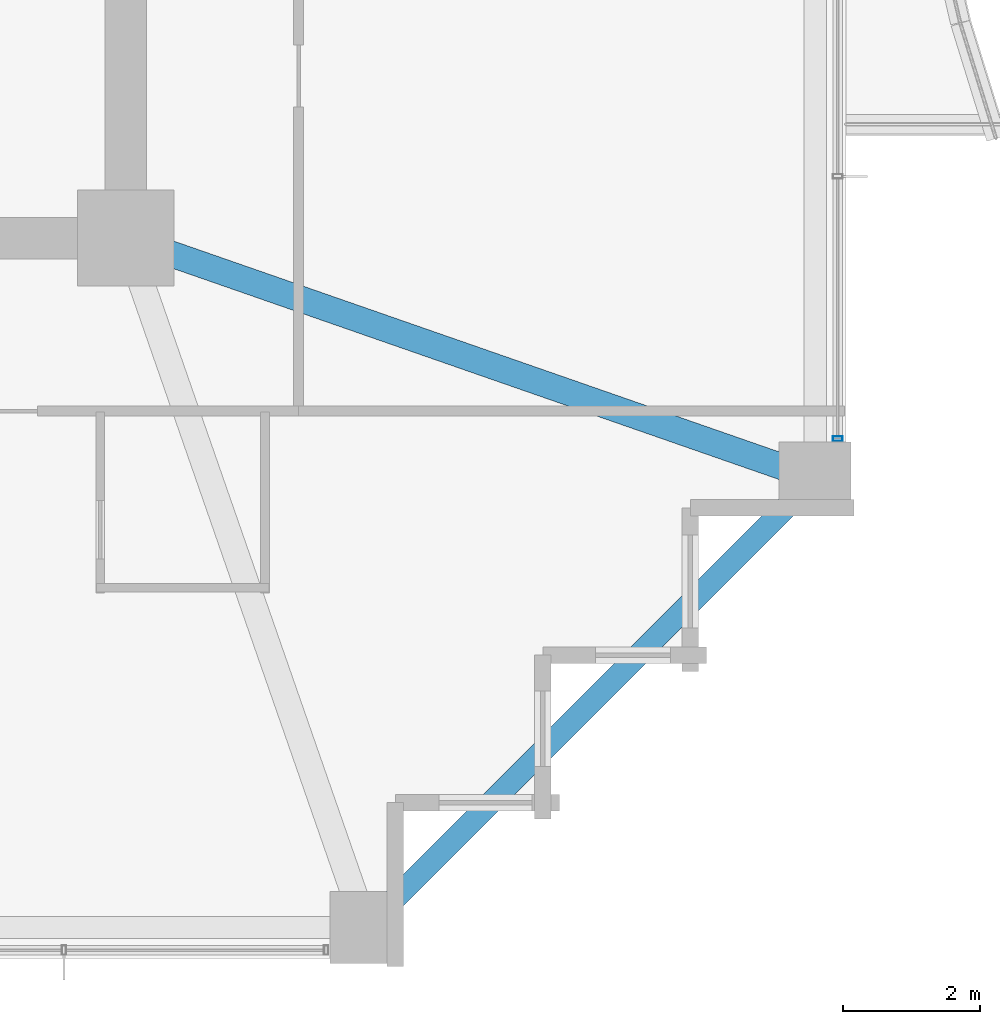
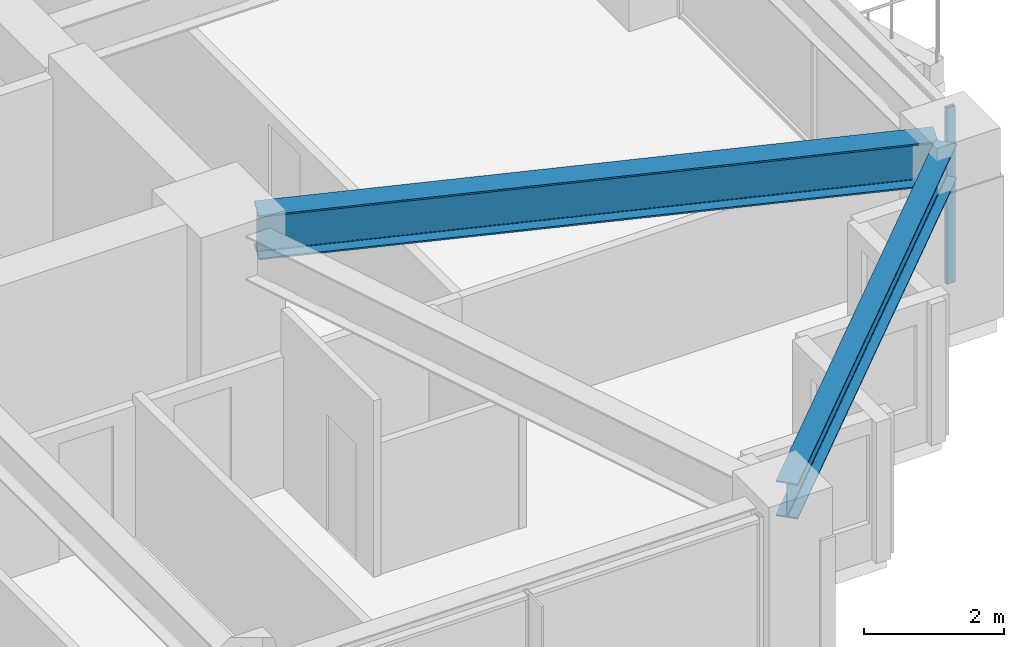
# One storey, part 13 of 36: 2 beams, 1 member, 1 element without a shape of its own.
"""IFC4 building model written with IfcOpenShell, lengths in metres."""

from ifc_helpers import new_model, si_unit, direction, frame, origin, origin_2d, place, context, subcontext, project, spatial, hollow_rectangle, i_section, extrude, material, material_profile, profile_set, type_object, element, aggregate, save


model = new_model("IFC4")

# Units and contexts
model_context = context("Model", 3, precision=1e-05, world=origin(), true_north=direction((0.0, 1.0)))
body_context = subcontext(model_context, "Body", "Model", "MODEL_VIEW")
ifc_project = project(units=[si_unit("LENGTHUNIT", "METRE"), si_unit("AREAUNIT", "SQUARE_METRE"), si_unit("VOLUMEUNIT", "CUBIC_METRE"), si_unit("PLANEANGLEUNIT", "RADIAN"), si_unit("MASSUNIT", "GRAM", prefix="KILO")], contexts=[model_context])

# Site, building, storey
site_placement = place(None, origin())
site = spatial("IfcSite", under=ifc_project, at=site_placement, CompositionType="ELEMENT")
building_placement = place(site_placement, origin())
building = spatial("IfcBuilding", under=site, at=building_placement, Name="Kolvaren Belvedere", CompositionType="ELEMENT")
storey_placement = place(building_placement, frame((0.0, 0.0, 95.300048828125)))
storey = spatial("IfcBuildingStorey", under=building, at=storey_placement, Name="L27", CompositionType="ELEMENT", Elevation=95.300048828125)

# Beams
ifc_material_1 = material(Name="Structural steel ASTM A992 Grade 50", Category="steel")
ifc_material_profile_1 = material_profile(ifc_material_1, i_section(OverallWidth=0.381103515625, OverallDepth=0.77294921875, WebThickness=0.0166015625, FlangeThickness=0.027099609375, FilletRadius=0.02392578125, at=origin_2d()), Name="W30X173")
ifc_profile_set_1 = profile_set([ifc_material_profile_1], Name="Structural steel ASTM A992 Grade 50")
beam_type_1 = type_object("IfcBeamType", Name="BM-GIRD-W30X173", PredefinedType="BEAM", material=ifc_profile_set_1)
beam_1_placement = place(storey_placement, frame((10.41943359375, -10.080810546875, 2.693359375), z_axis=(0.944371408538, -0.328880894453, 0.0), x_axis=(0.328880894453, 0.944371408538, 0.0)))
element("IfcBeam", 1, at=beam_1_placement, inside=storey, type_object=beam_type_1, Name="L27 Corner Core-to-Perimeter Girder CC2-E1", PredefinedType="BEAM", context=body_context, shape_type="SweptSolid", body=[
    extrude(i_section(OverallWidth=0.381103515625, OverallDepth=0.77294921875, WebThickness=0.0166015625, FlangeThickness=0.027099609375, FilletRadius=0.02392578125, at=origin_2d()), origin(), (0.0, 0.0, 1.0), 9.882080078125),
])
ifc_material_2 = material(Name="Structural steel ASTM A992 Grade 50", Category="steel")
ifc_material_profile_2 = material_profile(ifc_material_2, i_section(OverallWidth=0.324951171875, OverallDepth=0.615966796875, WebThickness=0.013916015625, FlangeThickness=0.021484375, FilletRadius=0.02001953125, at=origin_2d()), Name="W24X117")
ifc_profile_set_2 = profile_set([ifc_material_profile_2], Name="Structural steel ASTM A992 Grade 50")
beam_type_2 = type_object("IfcBeamType", Name="BM-SPAN-W24X117", PredefinedType="SPANDREL", material=ifc_profile_set_2)
beam_2_placement = place(storey_placement, frame((13.567138671875, -19.782958984375, 2.77197265625), z_axis=(0.707106781187, 0.707106781187, 0.0), x_axis=(-0.707106781187, 0.707106781187, 0.0)))
element("IfcBeam", 2, at=beam_2_placement, inside=storey, type_object=beam_type_2, Name="L27 Perimeter Spandrel S4-E1", PredefinedType="SPANDREL", context=body_context, shape_type="SweptSolid", body=[
    extrude(i_section(OverallWidth=0.324951171875, OverallDepth=0.615966796875, WebThickness=0.013916015625, FlangeThickness=0.021484375, FilletRadius=0.02001953125, at=origin_2d()), origin(), (0.0, 0.0, 1.0), 8.79052734375),
])

# Curtain wall, member
ifc_material_3 = material(Name="Anodised pale-metal aluminium AA 6063-T6", Category="aluminium")
curtain_wall_type = type_object("IfcCurtainWallType", Name="CW-Z2-MID", PredefinedType="NOTDEFINED", material=ifc_material_3)
curtain_wall_placement = place(storey_placement, origin())
curtain_wall = element("IfcCurtainWall", 3, at=curtain_wall_placement, inside=storey, type_object=curtain_wall_type, Name="L27 Unitised Curtain Wall FCW-L27-E2-B2", PredefinedType="NOTDEFINED")
ifc_material_4 = material(Name="Anodised pale-metal aluminium AA 6063-T6", Category="aluminium")
ifc_material_profile_3 = material_profile(ifc_material_4, hollow_rectangle(XDim=0.06494140625, YDim=0.139892578125, WallThickness=0.00390625, at=origin_2d()), Name="ALU-MUL-140X65")
ifc_profile_set_3 = profile_set([ifc_material_profile_3], Name="Anodised pale-metal aluminium AA 6063-T6")
member_type = type_object("IfcMemberType", Name="CW-MUL-140", PredefinedType="MULLION", material=ifc_profile_set_3)
member_placement = place(storey_placement, frame((20.280029296875, -12.822509765625, 0.0), z_axis=(0.0, 0.0, 1.0), x_axis=(0.0, 1.0, 0.0)))
member = element("IfcMember", 4, at=member_placement, type_object=member_type, Name="FCW-L27-E2-B2 Unitised Mullion 3", PredefinedType="MULLION", context=body_context, shape_type="SweptSolid", body=[
    extrude(hollow_rectangle(XDim=0.06494140625, YDim=0.139892578125, WallThickness=0.00390625, at=origin_2d()), origin(), (0.0, 0.0, 1.0), 3.079833984375),
])
aggregate(curtain_wall, [member])

save(model, "model.ifc")
